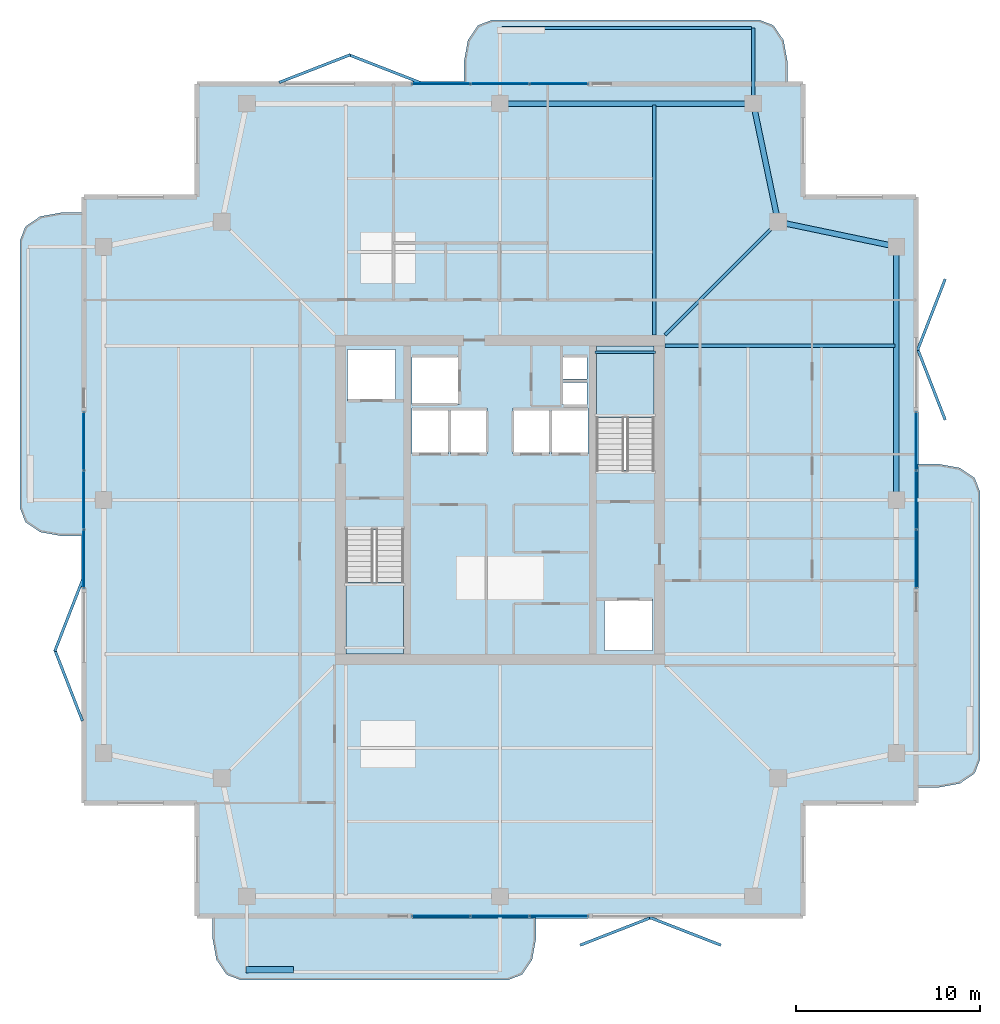
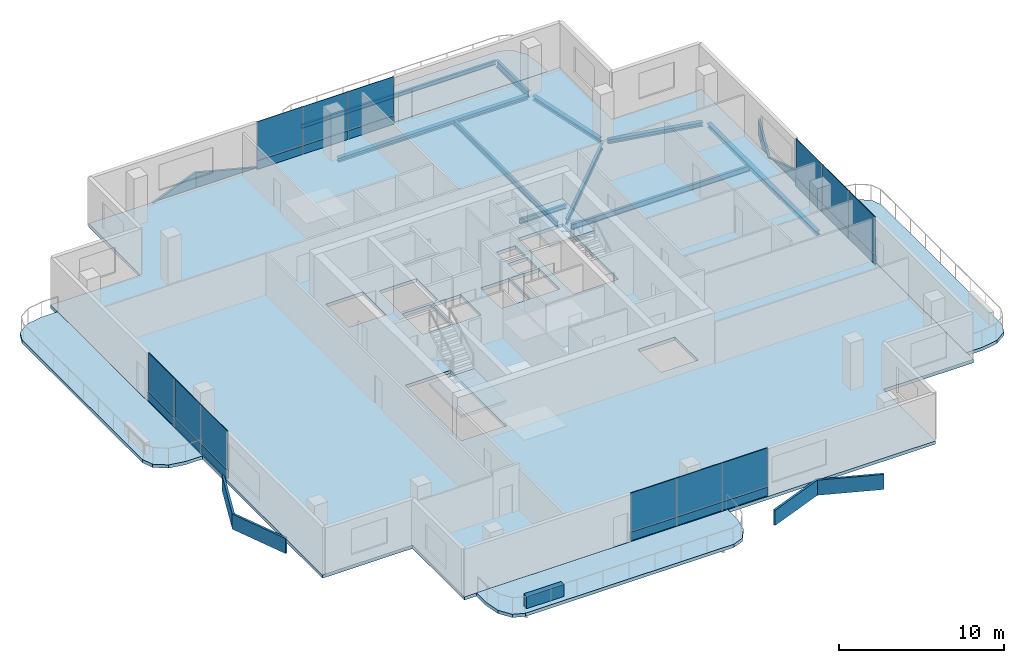
# One storey, part 11 of 17: 32 plates, 10 beams, 7 slabs, 1 wall, 6 elements without a shape of their own.
"""IFC4 building model written with IfcOpenShell, lengths in metres."""

import ifcopenshell
import ifcopenshell.guid

model = None  # the IFC model being written
_history = None  # IfcOwnerHistory: only IFC2X3 demands one
_inside = {}  # id of a spatial element -> (the spatial element, [elements in it])
_under = {}  # id of a project, library or spatial element -> (it, [spatial elements below it])
_declared = {}  # id of a project -> (the project, [libraries it declares])
_typed = {}  # id of a type object -> (the type object, [elements of that type])
_made_of = {}  # id of a material, layer set ... -> (it, [elements and type objects made of it])


def new_model(schema):
    """Start an empty IFC model of exactly this schema.

    Asked for "IFC4X3", IfcOpenShell would pick the latest addendum, in which some entities
    have other attributes; the version numbers below select the first issue.
    IFC2X3 requires an IfcOwnerHistory on every rooted entity: one is made here for all.
    """
    global model, _history
    if schema == "IFC4X3":
        model = ifcopenshell.file(schema_version=(4, 3, 0, 0))
    else:
        model = ifcopenshell.file(schema=schema)
    _inside.clear()
    _under.clear()
    _declared.clear()
    _typed.clear()
    _made_of.clear()
    _history = None
    if model.schema == "IFC2X3":
        org = make("IfcOrganization", Name="unknown")
        user = make(
            "IfcPersonAndOrganization",
            ThePerson=make("IfcPerson", FamilyName="unknown"),
            TheOrganization=org,
        )
        app = make(
            "IfcApplication",
            ApplicationDeveloper=org,
            Version="unknown",
            ApplicationFullName="unknown",
            ApplicationIdentifier="unknown",
        )
        _history = make(
            "IfcOwnerHistory",
            OwningUser=user,
            OwningApplication=app,
            ChangeAction="ADDED",
            CreationDate=0,
        )
    return model


def make(cls, **values):
    """One entity of the class cls with the attributes given. An attribute that is None is left unset."""
    return model.create_entity(
        cls, **{name: value for name, value in values.items() if value is not None}
    )


def rooted(cls, **values):
    """An entity with a GlobalId (a new one), such as an element, a storey or a relation."""
    return make(cls, GlobalId=ifcopenshell.guid.new(), OwnerHistory=_history, **values)


def si_unit(unit_type, name, prefix=None):
    """IfcSIUnit, for example si_unit("LENGTHUNIT", "METRE", prefix="MILLI")."""
    return make("IfcSIUnit", UnitType=unit_type, Prefix=prefix, Name=name)


def assignment(units):
    """IfcUnitAssignment: the units of a project."""
    return None if units is None else make("IfcUnitAssignment", Units=units)


def point(xyz):
    """IfcCartesianPoint."""
    return None if xyz is None else make("IfcCartesianPoint", Coordinates=xyz)


def direction(xyz):
    """IfcDirection."""
    return None if xyz is None else make("IfcDirection", DirectionRatios=xyz)


def frame(location, z_axis=None, x_axis=None):
    """IfcAxis2Placement3D, a coordinate frame: its origin and axes. An axis left out is left unset."""
    return make(
        "IfcAxis2Placement3D",
        Location=point(location),
        Axis=direction(z_axis),
        RefDirection=direction(x_axis),
    )


def frame_2d(location, x_axis=None):
    """IfcAxis2Placement2D, a coordinate frame in the plane: its origin and x axis."""
    return make(
        "IfcAxis2Placement2D", Location=point(location), RefDirection=direction(x_axis)
    )


def origin():
    """The frame at (0, 0, 0) with its axes left unset."""
    return frame((0.0, 0.0, 0.0))


def origin_2d():
    """The frame at (0, 0) in the plane with its x axis left unset."""
    return frame_2d((0.0, 0.0))


def place(relative_to, where):
    """IfcLocalPlacement: puts the frame where relative to a parent placement (None: the world)."""
    return make(
        "IfcLocalPlacement", PlacementRelTo=relative_to, RelativePlacement=where
    )


def context(
    kind, dimensions, precision=None, world=None, true_north=None, identifier=None
):
    """IfcGeometricRepresentationContext, for example the 3D "Model" context."""
    return make(
        "IfcGeometricRepresentationContext",
        ContextIdentifier=identifier,
        ContextType=kind,
        CoordinateSpaceDimension=dimensions,
        Precision=precision,
        WorldCoordinateSystem=world,
        TrueNorth=true_north,
    )


def subcontext(parent, identifier, kind, view, scale=None):
    """IfcGeometricRepresentationSubContext, for example "Body" below "Model"."""
    return make(
        "IfcGeometricRepresentationSubContext",
        ContextIdentifier=identifier,
        ContextType=kind,
        ParentContext=parent,
        TargetScale=scale,
        TargetView=view,
    )


def project(units=None, contexts=None):
    """IfcProject with its units and contexts."""
    return rooted(
        "IfcProject",
        Name="project",
        RepresentationContexts=contexts,
        UnitsInContext=assignment(units),
    )


def spatial(cls, under=None, at=None, **own):
    """A site, building, storey or space (cls), placed at a placement, below another one or the project."""
    s = rooted(cls, ObjectPlacement=at, **own)
    if under is not None:
        _under.setdefault(under.id(), (under, []))[1].append(s)
    return s


def polyline(points):
    """IfcPolyline through the points."""
    return make("IfcPolyline", Points=[point(p) for p in points])


def profile(cls, at=None, kind="AREA", **sizes):
    """A parametric profile (cls). Its sizes go by their IFC names, for example OverallWidth=200.0."""
    return make(cls, ProfileType=kind, Position=at, **sizes)


def rectangle(**sizes):
    """IfcRectangleProfileDef."""
    return profile("IfcRectangleProfileDef", **sizes)


def i_section(**sizes):
    """IfcIShapeProfileDef."""
    return profile("IfcIShapeProfileDef", **sizes)


def outline(outer, holes=None, kind="AREA"):
    """IfcArbitraryClosedProfileDef: a profile drawn as a closed curve; with holes, ...WithVoids."""
    if holes is None:
        return make("IfcArbitraryClosedProfileDef", ProfileType=kind, OuterCurve=outer)
    return make(
        "IfcArbitraryProfileDefWithVoids",
        ProfileType=kind,
        OuterCurve=outer,
        InnerCurves=holes,
    )


def extrude(swept, where, along, depth):
    """IfcExtrudedAreaSolid: the profile swept, set in the frame where, extruded along a direction by depth."""
    return make(
        "IfcExtrudedAreaSolid",
        SweptArea=swept,
        Position=where,
        ExtrudedDirection=direction(along),
        Depth=depth,
    )


def shape(context_of_items, identifier, shape_type, items):
    """IfcShapeRepresentation: the items that make up one representation, for example the "Body"."""
    return make(
        "IfcShapeRepresentation",
        ContextOfItems=context_of_items,
        RepresentationIdentifier=identifier,
        RepresentationType=shape_type,
        Items=items,
    )


def material(Name=None, Category=None):
    """IfcMaterial."""
    return make("IfcMaterial", Name=Name, Category=Category)


def layer(
    of_material, thickness, ventilated=None, Name=None, Category=None, Priority=None
):
    """IfcMaterialLayer: one layer of a wall or slab, of a material (None: an air gap)."""
    return make(
        "IfcMaterialLayer",
        Material=of_material,
        LayerThickness=thickness,
        IsVentilated=ventilated,
        Name=Name,
        Category=Category,
        Priority=Priority,
    )


def layer_set(layers, Name=None):
    """IfcMaterialLayerSet."""
    return make("IfcMaterialLayerSet", MaterialLayers=layers, LayerSetName=Name)


def material_profile(
    of_material, cross_section, Name=None, Category=None, Priority=None
):
    """IfcMaterialProfile: a cross section and its material."""
    return make(
        "IfcMaterialProfile",
        Name=Name,
        Material=of_material,
        Profile=cross_section,
        Priority=Priority,
        Category=Category,
    )


def profile_set(profiles, Name=None, composite=None):
    """IfcMaterialProfileSet."""
    return make(
        "IfcMaterialProfileSet",
        Name=Name,
        MaterialProfiles=profiles,
        CompositeProfile=composite,
    )


def made_of(thing, what):
    """Note that an element or type object is made of a material, layer set ...; save() writes the relation."""
    if what is not None:
        _made_of.setdefault(what.id(), (what, []))[1].append(thing)
    return thing


def type_object(cls, material=None, **own):
    """A type object (cls), such as IfcWallType, which elements share."""
    return made_of(rooted(cls, **own), material)


def element(
    cls,
    number,
    at=None,
    inside=None,
    cuts=None,
    type_object=None,
    material=None,
    context=None,
    identifier="Body",
    shape_type=None,
    held_by="IfcProductDefinitionShape",
    body=None,
    shapes=None,
    **own,
):
    """One element of the class cls, such as IfcWall. Its Tag is "e" and its number.

    at: its placement. inside: the storey or other place that contains it. cuts: it is an
    opening in that element (IfcRelVoidsElement). A single representation is given by context,
    identifier, shape_type and body (its items); several are given by shapes. held_by: the class
    of the entity that holds the representations. save() writes the other relations.
    """
    e = rooted(cls, Tag="e%d" % number, ObjectPlacement=at, **own)
    if body is not None:
        shapes = [shape(context, identifier, shape_type, body)]
    if shapes is not None:
        e.Representation = make(held_by, Representations=shapes)
    if inside is not None:
        _inside.setdefault(inside.id(), (inside, []))[1].append(e)
    if cuts is not None:
        rooted(
            "IfcRelVoidsElement", RelatingBuildingElement=cuts, RelatedOpeningElement=e
        )
    if type_object is not None:
        _typed.setdefault(type_object.id(), (type_object, []))[1].append(e)
    return made_of(e, material)


def aggregate(whole, parts):
    """IfcRelAggregates: a whole, such as a stair, and the parts it consists of."""
    return rooted("IfcRelAggregates", RelatingObject=whole, RelatedObjects=parts)


def save(model, path):
    """Write the relations noted so far, then the file.

    IfcRelAggregates (storeys below a building ...), IfcRelContainedInSpatialStructure (elements
    in a storey), IfcRelDefinesByType, IfcRelAssociatesMaterial and IfcRelDeclares: one each for
    every whole, place, type object, material and project.
    """
    for whole, parts in _under.values():
        aggregate(whole, parts)
    for where, things in _inside.values():
        rooted(
            "IfcRelContainedInSpatialStructure",
            RelatedElements=things,
            RelatingStructure=where,
        )
    for kind, things in _typed.values():
        rooted("IfcRelDefinesByType", RelatedObjects=things, RelatingType=kind)
    for what, things in _made_of.values():
        rooted("IfcRelAssociatesMaterial", RelatedObjects=things, RelatingMaterial=what)
    for by, libraries in _declared.values():
        rooted("IfcRelDeclares", RelatingContext=by, RelatedDefinitions=libraries)
    model.write(path)


model = new_model("IFC4")

# Units and contexts
model_context = context("Model", 3, precision=1e-05, world=origin(), true_north=direction((0.0, 1.0)))
body_context = subcontext(model_context, "Body", "Model", "MODEL_VIEW")
ifc_project = project(units=[si_unit("LENGTHUNIT", "METRE"), si_unit("AREAUNIT", "SQUARE_METRE"), si_unit("VOLUMEUNIT", "CUBIC_METRE"), si_unit("PLANEANGLEUNIT", "RADIAN"), si_unit("MASSUNIT", "GRAM", prefix="KILO")], contexts=[model_context])

# Site, building, storey
site_placement = place(None, origin())
site = spatial("IfcSite", under=ifc_project, at=site_placement, CompositionType="ELEMENT")
building_placement = place(site_placement, origin())
building = spatial("IfcBuilding", under=site, at=building_placement, Name="Belovzor Exchange Tower", CompositionType="ELEMENT")
storey_placement = place(building_placement, frame((0.0, 0.0, 303.0)))
storey = spatial("IfcBuildingStorey", under=building, at=storey_placement, Name="L75", CompositionType="ELEMENT", Elevation=303.0)

# Beams
ifc_material_1 = material(Name="Steel S355", Category="steel")
ifc_material_profile_1 = material_profile(ifc_material_1, i_section(OverallWidth=0.199951171875, OverallDepth=0.5, WebThickness=0.01025390625, FlangeThickness=0.01611328125, at=origin_2d()))
ifc_profile_set_1 = profile_set([ifc_material_profile_1], Name="Steel S355")
beam_type_1 = type_object("IfcBeamType", Name="Planted Balcony Cantilever Beam IPE 500", PredefinedType="BEAM", material=ifc_profile_set_1)
beam_1_placement = place(storey_placement, frame((42.60009765625, 50.660888671875, -0.489990234375), z_axis=(0.0, 1.0, 0.0), x_axis=(-1.0, 0.0, 0.0)))
element("IfcBeam", 1, at=beam_1_placement, inside=storey, type_object=beam_type_1, Name="BC-500 Planted Balcony Cantilever Beam IPE 500", PredefinedType="BEAM", context=body_context, shape_type="SweptSolid", body=[
    extrude(i_section(OverallWidth=0.199951171875, OverallDepth=0.5, WebThickness=0.01025390625, FlangeThickness=0.01611328125, at=origin_2d()), origin(), (0.0, 0.0, 1.0), 3.85009765625),
])
ifc_material_2 = material(Name="Steel S355", Category="steel")
ifc_material_profile_2 = material_profile(ifc_material_2, i_section(OverallWidth=0.14990234375, OverallDepth=0.300048828125, WebThickness=0.007080078125, FlangeThickness=0.0107421875, at=origin_2d()))
ifc_profile_set_2 = profile_set([ifc_material_profile_2], Name="Steel S355")
beam_type_2 = type_object("IfcBeamType", Name="Planted Balcony Fascia Edge Beam IPE 300", PredefinedType="BEAM", material=ifc_profile_set_2)
beam_2_placement = place(storey_placement, frame((42.5, 54.510986328125, -0.389892578125), z_axis=(-1.0, 0.0, 0.0), x_axis=(0.0, -1.0, 0.0)))
element("IfcBeam", 2, at=beam_2_placement, inside=storey, type_object=beam_type_2, Name="BC-300 Planted Balcony Fascia Edge Beam IPE 300", PredefinedType="BEAM", context=body_context, shape_type="SweptSolid", body=[
    extrude(i_section(OverallWidth=0.14990234375, OverallDepth=0.300048828125, WebThickness=0.007080078125, FlangeThickness=0.0107421875, at=origin_2d()), origin(), (0.0, 0.0, 1.0), 13.60009765625),
])
ifc_material_3 = material(Name="Steel S355", Category="steel")
ifc_material_profile_3 = material_profile(ifc_material_3, i_section(OverallWidth=0.14990234375, OverallDepth=0.300048828125, WebThickness=0.007080078125, FlangeThickness=0.0107421875, at=origin_2d()))
ifc_profile_set_3 = profile_set([ifc_material_profile_3], Name="Steel S355")
beam_type_3 = type_object("IfcBeamType", Name="Secondary Trim Floor Joist IPE 300", PredefinedType="BEAM", material=ifc_profile_set_3)
beam_3_placement = place(storey_placement, frame((37.280029296875, 36.85009765625, 1.52490234375), z_axis=(-1.0, 0.0, 0.0), x_axis=(0.0, -1.0, 0.0)))
element("IfcBeam", 3, at=beam_3_placement, inside=storey, type_object=beam_type_3, Name="FJ-300 Secondary Trim Floor Joist IPE 300", PredefinedType="BEAM", context=body_context, shape_type="SweptSolid", body=[
    extrude(i_section(OverallWidth=0.14990234375, OverallDepth=0.300048828125, WebThickness=0.007080078125, FlangeThickness=0.0107421875, at=origin_2d()), origin(), (0.0, 0.0, 1.0), 3.31005859375),
])
ifc_material_4 = material(Name="Steel S355", Category="steel")
ifc_material_profile_4 = material_profile(ifc_material_4, i_section(OverallWidth=0.179931640625, OverallDepth=0.39990234375, WebThickness=0.008544921875, FlangeThickness=0.013427734375, at=origin_2d()))
ifc_profile_set_4 = profile_set([ifc_material_profile_4], Name="Steel S355")
beam_type_4 = type_object("IfcBeamType", Name="Zone 5-6 Radial Composite Floor Beam IPE 400", PredefinedType="BEAM", material=ifc_profile_set_4)
for number, where, z_axis, x_axis, name in (
    (4, (37.199951171875, 37.800048828125, -0.43994140625), (0.0, 1.0, 0.0), (-1.0, 0.0, 0.0), "FB-400 Zone 5-6 Radial Composite Floor Beam IPE 400"),
    (5, (37.800048828125, 37.199951171875, -0.43994140625), (1.0, 0.0, 0.0), (0.0, 1.0, 0.0), "FB-400 Zone 5-6 Radial Composite Floor Beam IPE 400"),
):
    element("IfcBeam", number, at=place(storey_placement, frame(where, z_axis=z_axis, x_axis=x_axis)), inside=storey, type_object=beam_type_4, Name=name, PredefinedType="BEAM", context=body_context, shape_type="SweptSolid", body=[
        extrude(i_section(OverallWidth=0.179931640625, OverallDepth=0.39990234375, WebThickness=0.008544921875, FlangeThickness=0.013427734375, at=origin_2d()), origin(), (0.0, 0.0, 1.0), 12.52490234375),
    ])
beam_4_placement = place(storey_placement, frame((37.800048828125, 37.800048828125, -0.43994140625), z_axis=(0.707106781187, 0.707106781187, 0.0), x_axis=(-0.707106781187, 0.707106781187, 0.0)))
element("IfcBeam", 6, at=beam_4_placement, inside=storey, type_object=beam_type_4, Name="FB-400 Zone 5-6 Radial Composite Floor Beam IPE 400", PredefinedType="BEAM", context=body_context, shape_type="SweptSolid", body=[
    extrude(i_section(OverallWidth=0.179931640625, OverallDepth=0.39990234375, WebThickness=0.008544921875, FlangeThickness=0.013427734375, at=origin_2d()), origin(), (0.0, 0.0, 1.0), 8.362060546875),
])
ifc_material_5 = material(Name="Steel S355", Category="steel")
ifc_material_profile_5 = material_profile(ifc_material_5, i_section(OverallWidth=0.300048828125, OverallDepth=0.300048828125, WebThickness=0.008544921875, FlangeThickness=0.013916015625, at=origin_2d()))
ifc_profile_set_5 = profile_set([ifc_material_profile_5], Name="Steel S355")
beam_type_5 = type_object("IfcBeamType", Name="Zone 6 Primary Girder HEA 300", PredefinedType="BEAM", material=ifc_profile_set_5)
beam_5_placement = place(storey_placement, frame((50.39990234375, 29.06103515625, -0.389892578125), z_axis=(0.0, 1.0, 0.0), x_axis=(-1.0, 0.0, 0.0)))
element("IfcBeam", 7, at=beam_5_placement, inside=storey, type_object=beam_type_5, Name="FG-Z6 Zone 6 Primary Girder HEA 300", PredefinedType="BEAM", context=body_context, shape_type="SweptSolid", body=[
    extrude(i_section(OverallWidth=0.300048828125, OverallDepth=0.300048828125, WebThickness=0.008544921875, FlangeThickness=0.013916015625, at=origin_2d()), origin(), (0.0, 0.0, 1.0), 13.278076171875),
])
for number, where, z_axis, x_axis, name in (
    (8, (50.14404296875, 42.654052734375, -0.389892578125), (-0.978820078908, 0.204722380619, 0.0), (-0.204722380619, -0.978820078908, 0.0), "FG-Z6 Zone 6 Primary Girder HEA 300"),
    (9, (43.89599609375, 44.2060546875, -0.389892578125), (-0.204722380619, 0.978820078908, 0.0), (-0.978820078908, -0.204722380619, 0.0), "FG-Z6 Zone 6 Primary Girder HEA 300"),
):
    element("IfcBeam", number, at=place(storey_placement, frame(where, z_axis=z_axis, x_axis=x_axis)), inside=storey, type_object=beam_type_5, Name=name, PredefinedType="BEAM", context=body_context, shape_type="SweptSolid", body=[
        extrude(i_section(OverallWidth=0.300048828125, OverallDepth=0.300048828125, WebThickness=0.008544921875, FlangeThickness=0.013916015625, at=origin_2d()), origin(), (0.0, 0.0, 1.0), 6.06640625),
    ])
beam_6_placement = place(storey_placement, frame((42.339111328125, 50.39990234375, -0.389892578125), z_axis=(-1.0, 0.0, 0.0), x_axis=(0.0, -1.0, 0.0)))
element("IfcBeam", 10, at=beam_6_placement, inside=storey, type_object=beam_type_5, Name="FG-Z6 Zone 6 Primary Girder HEA 300", PredefinedType="BEAM", context=body_context, shape_type="SweptSolid", body=[
    extrude(i_section(OverallWidth=0.300048828125, OverallDepth=0.300048828125, WebThickness=0.008544921875, FlangeThickness=0.013916015625, at=origin_2d()), origin(), (0.0, 0.0, 1.0), 13.278076171875),
])

# Slab
ifc_material_6 = material(Name="Concrete C40/50", Category="concrete")
ifc_layer_1 = layer(ifc_material_6, 0.239990234375)
ifc_layer_set_1 = layer_set([ifc_layer_1], Name="Concrete C40/50")
slab_type_1 = type_object("IfcSlabType", Name="Composite High-Rise Floor Deck Slab 240", PredefinedType="FLOOR", material=ifc_layer_set_1)
slab_1_placement = place(storey_placement, frame((0.0, 0.0, -0.239990234375)))
element("IfcSlab", 11, at=slab_1_placement, inside=storey, type_object=slab_type_1, Name="SL-F240 Structural Slab L75", PredefinedType="FLOOR", context=body_context, shape_type="SweptSolid", body=[
    extrude(outline(polyline([(12.300048828125, 6.0), (45.300048828125, 6.0), (45.300048828125, 12.300048828125), (51.60009765625, 12.300048828125), (51.60009765625, 45.300048828125), (45.300048828125, 45.300048828125), (45.300048828125, 51.60009765625), (12.300048828125, 51.60009765625), (12.300048828125, 45.300048828125), (6.0, 45.300048828125), (6.0, 12.300048828125), (12.300048828125, 12.300048828125), (12.300048828125, 6.0)]), holes=[polyline([(20.39990234375, 27.175048828125), (20.39990234375, 20.39990234375), (23.550048828125, 20.39990234375), (23.550048828125, 27.175048828125), (20.39990234375, 27.175048828125)]), polyline([(37.199951171875, 30.425048828125), (37.199951171875, 37.199951171875), (34.050048828125, 37.199951171875), (34.050048828125, 30.425048828125), (37.199951171875, 30.425048828125)]), polyline([(20.5, 34.199951171875), (23.10009765625, 34.199951171875), (23.10009765625, 37.0), (20.5, 37.0), (20.5, 34.199951171875)]), polyline([(34.5, 20.60009765625), (37.10009765625, 20.60009765625), (37.10009765625, 23.39990234375), (34.5, 23.39990234375), (34.5, 20.60009765625)]), polyline([(24.0, 34.0), (26.60009765625, 34.0), (26.60009765625, 36.60009765625), (24.0, 36.60009765625), (24.0, 34.0)]), polyline([(24.0, 31.300048828125), (26.0, 31.300048828125), (26.0, 33.800048828125), (24.0, 33.800048828125), (24.0, 31.300048828125)]), polyline([(26.10009765625, 31.300048828125), (28.10009765625, 31.300048828125), (28.10009765625, 33.800048828125), (26.10009765625, 33.800048828125), (26.10009765625, 31.300048828125)]), polyline([(29.5, 31.300048828125), (31.5, 31.300048828125), (31.5, 33.800048828125), (29.5, 33.800048828125), (29.5, 31.300048828125)]), polyline([(31.60009765625, 31.300048828125), (33.60009765625, 31.300048828125), (33.60009765625, 33.800048828125), (31.60009765625, 33.800048828125), (31.60009765625, 31.300048828125)]), polyline([(32.199951171875, 34.0), (33.550048828125, 34.0), (33.550048828125, 35.199951171875), (32.199951171875, 35.199951171875), (32.199951171875, 34.0)]), polyline([(32.199951171875, 35.39990234375), (33.550048828125, 35.39990234375), (33.550048828125, 36.60009765625), (32.199951171875, 36.60009765625), (32.199951171875, 35.39990234375)])]), origin(), (0.0, 0.0, 1.0), 0.239990234375),
])

# Curtain wall, plates
ifc_material_7 = material(Name="Anodised Aluminium Framing", Category="aluminium")
ifc_layer_2 = layer(ifc_material_7, 0.179931640625)
ifc_layer_set_2 = layer_set([ifc_layer_2], Name="Anodised Aluminium Framing")
curtain_wall_type = type_object("IfcCurtainWallType", Name="Recessed Loggia Low-Iron Triple-Glazed Curtain Wall", PredefinedType="NOTDEFINED", material=ifc_layer_set_2)
curtain_wall_1_placement = place(storey_placement, origin())
curtain_wall_1 = element("IfcCurtainWall", 12, at=curtain_wall_1_placement, inside=storey, type_object=curtain_wall_type, Name="CW3 Recessed Loggia Low-Iron Triple-Glazed Curtain Wall L75", PredefinedType="NOTDEFINED")
ifc_material_8 = material(Name="Solar-Control Triple Glazing", Category="glass")
ifc_layer_3 = layer(ifc_material_8, 0.0439453125)
ifc_layer_set_3 = layer_set([ifc_layer_3], Name="Solar-Control Triple Glazing")
plate_type_1 = type_object("IfcPlateType", Name="Insulated Solar Glazing Curtain Panel 44", PredefinedType="CURTAIN_PANEL", material=ifc_layer_set_3)
plate_1_placement = place(storey_placement, frame((32.0, 6.1298828125, 0.634033203125), z_axis=(0.0, 0.0, 1.0), x_axis=(-1.0, 0.0, 0.0)))
plate_1 = element("IfcPlate", 13, at=plate_1_placement, type_object=plate_type_1, Name="GLZ-44 Glazed Curtain Panel 1", PredefinedType="CURTAIN_PANEL", context=body_context, shape_type="SweptSolid", body=[
    extrude(rectangle(XDim=3.18408203125, YDim=0.0439453125, at=origin_2d()), origin(), (0.0, 0.0, 1.0), 2.8759765625),
])
plate_2_placement = place(storey_placement, frame((28.800048828125, 6.1298828125, 0.634033203125), z_axis=(0.0, 0.0, 1.0), x_axis=(-1.0, 0.0, 0.0)))
plate_2 = element("IfcPlate", 14, at=plate_2_placement, type_object=plate_type_1, Name="GLZ-44 Glazed Curtain Panel 2", PredefinedType="CURTAIN_PANEL", context=body_context, shape_type="SweptSolid", body=[
    extrude(rectangle(XDim=3.18408203125, YDim=0.0439453125, at=origin_2d()), origin(), (0.0, 0.0, 1.0), 2.8759765625),
])
plate_3_placement = place(storey_placement, frame((25.60009765625, 6.1298828125, 0.634033203125), z_axis=(0.0, 0.0, 1.0), x_axis=(-1.0, 0.0, 0.0)))
plate_3 = element("IfcPlate", 15, at=plate_3_placement, type_object=plate_type_1, Name="GLZ-44 Glazed Curtain Panel 3", PredefinedType="CURTAIN_PANEL", context=body_context, shape_type="SweptSolid", body=[
    extrude(rectangle(XDim=3.18408203125, YDim=0.0439453125, at=origin_2d()), origin(), (0.0, 0.0, 1.0), 2.8759765625),
])

curtain_wall_2_placement = place(storey_placement, origin())
curtain_wall_2 = element("IfcCurtainWall", 16, at=curtain_wall_2_placement, inside=storey, type_object=curtain_wall_type, Name="CW3 Recessed Loggia Low-Iron Triple-Glazed Curtain Wall L75", PredefinedType="NOTDEFINED")
plate_4_placement = place(storey_placement, frame((25.60009765625, 51.469970703125, 0.634033203125), z_axis=(0.0, 0.0, 1.0), x_axis=(1.0, 0.0, 0.0)))
plate_4 = element("IfcPlate", 17, at=plate_4_placement, type_object=plate_type_1, Name="GLZ-44 Glazed Curtain Panel 1", PredefinedType="CURTAIN_PANEL", context=body_context, shape_type="SweptSolid", body=[
    extrude(rectangle(XDim=3.18408203125, YDim=0.0439453125, at=origin_2d()), origin(), (0.0, 0.0, 1.0), 2.8759765625),
])
plate_5_placement = place(storey_placement, frame((28.800048828125, 51.469970703125, 0.634033203125), z_axis=(0.0, 0.0, 1.0), x_axis=(1.0, 0.0, 0.0)))
plate_5 = element("IfcPlate", 18, at=plate_5_placement, type_object=plate_type_1, Name="GLZ-44 Glazed Curtain Panel 2", PredefinedType="CURTAIN_PANEL", context=body_context, shape_type="SweptSolid", body=[
    extrude(rectangle(XDim=3.18408203125, YDim=0.0439453125, at=origin_2d()), origin(), (0.0, 0.0, 1.0), 2.8759765625),
])
plate_6_placement = place(storey_placement, frame((32.0, 51.469970703125, 0.634033203125), z_axis=(0.0, 0.0, 1.0), x_axis=(1.0, 0.0, 0.0)))
plate_6 = element("IfcPlate", 19, at=plate_6_placement, type_object=plate_type_1, Name="GLZ-44 Glazed Curtain Panel 3", PredefinedType="CURTAIN_PANEL", context=body_context, shape_type="SweptSolid", body=[
    extrude(rectangle(XDim=3.18408203125, YDim=0.0439453125, at=origin_2d()), origin(), (0.0, 0.0, 1.0), 2.8759765625),
])

curtain_wall_3_placement = place(storey_placement, origin())
curtain_wall_3 = element("IfcCurtainWall", 20, at=curtain_wall_3_placement, inside=storey, type_object=curtain_wall_type, Name="CW3 Recessed Loggia Low-Iron Triple-Glazed Curtain Wall L75", PredefinedType="NOTDEFINED")
plate_7_placement = place(storey_placement, frame((6.1298828125, 25.60009765625, 0.634033203125), z_axis=(0.0, 0.0, 1.0), x_axis=(0.0, 1.0, 0.0)))
plate_7 = element("IfcPlate", 21, at=plate_7_placement, type_object=plate_type_1, Name="GLZ-44 Glazed Curtain Panel 1", PredefinedType="CURTAIN_PANEL", context=body_context, shape_type="SweptSolid", body=[
    extrude(rectangle(XDim=3.18408203125, YDim=0.0439453125, at=origin_2d()), origin(), (0.0, 0.0, 1.0), 2.8759765625),
])
plate_8_placement = place(storey_placement, frame((6.1298828125, 28.800048828125, 0.634033203125), z_axis=(0.0, 0.0, 1.0), x_axis=(0.0, 1.0, 0.0)))
plate_8 = element("IfcPlate", 22, at=plate_8_placement, type_object=plate_type_1, Name="GLZ-44 Glazed Curtain Panel 2", PredefinedType="CURTAIN_PANEL", context=body_context, shape_type="SweptSolid", body=[
    extrude(rectangle(XDim=3.18408203125, YDim=0.0439453125, at=origin_2d()), origin(), (0.0, 0.0, 1.0), 2.8759765625),
])
plate_9_placement = place(storey_placement, frame((6.1298828125, 32.0, 0.634033203125), z_axis=(0.0, 0.0, 1.0), x_axis=(0.0, 1.0, 0.0)))
plate_9 = element("IfcPlate", 23, at=plate_9_placement, type_object=plate_type_1, Name="GLZ-44 Glazed Curtain Panel 3", PredefinedType="CURTAIN_PANEL", context=body_context, shape_type="SweptSolid", body=[
    extrude(rectangle(XDim=3.18408203125, YDim=0.0439453125, at=origin_2d()), origin(), (0.0, 0.0, 1.0), 2.8759765625),
])

curtain_wall_4_placement = place(storey_placement, origin())
curtain_wall_4 = element("IfcCurtainWall", 24, at=curtain_wall_4_placement, inside=storey, type_object=curtain_wall_type, Name="CW3 Recessed Loggia Low-Iron Triple-Glazed Curtain Wall L75", PredefinedType="NOTDEFINED")
plate_10_placement = place(storey_placement, frame((51.469970703125, 32.0, 0.634033203125), z_axis=(0.0, 0.0, 1.0), x_axis=(0.0, -1.0, 0.0)))
plate_10 = element("IfcPlate", 25, at=plate_10_placement, type_object=plate_type_1, Name="GLZ-44 Glazed Curtain Panel 1", PredefinedType="CURTAIN_PANEL", context=body_context, shape_type="SweptSolid", body=[
    extrude(rectangle(XDim=3.18408203125, YDim=0.0439453125, at=origin_2d()), origin(), (0.0, 0.0, 1.0), 2.8759765625),
])
plate_11_placement = place(storey_placement, frame((51.469970703125, 28.800048828125, 0.634033203125), z_axis=(0.0, 0.0, 1.0), x_axis=(0.0, -1.0, 0.0)))
plate_11 = element("IfcPlate", 26, at=plate_11_placement, type_object=plate_type_1, Name="GLZ-44 Glazed Curtain Panel 2", PredefinedType="CURTAIN_PANEL", context=body_context, shape_type="SweptSolid", body=[
    extrude(rectangle(XDim=3.18408203125, YDim=0.0439453125, at=origin_2d()), origin(), (0.0, 0.0, 1.0), 2.8759765625),
])
plate_12_placement = place(storey_placement, frame((51.469970703125, 25.60009765625, 0.634033203125), z_axis=(0.0, 0.0, 1.0), x_axis=(0.0, -1.0, 0.0)))
plate_12 = element("IfcPlate", 27, at=plate_12_placement, type_object=plate_type_1, Name="GLZ-44 Glazed Curtain Panel 3", PredefinedType="CURTAIN_PANEL", context=body_context, shape_type="SweptSolid", body=[
    extrude(rectangle(XDim=3.18408203125, YDim=0.0439453125, at=origin_2d()), origin(), (0.0, 0.0, 1.0), 2.8759765625),
])

# Stair, slab
ifc_material_9 = material(Name="Concrete C40/50", Category="concrete")
stair_type = type_object("IfcStairType", Name="Reinforced Concrete Dogleg Escape Stair 1350", PredefinedType="HALF_TURN_STAIR", material=ifc_material_9)
stair_1_placement = place(storey_placement, origin())
stair_1 = element("IfcStair", 28, at=stair_1_placement, inside=storey, type_object=stair_type, Name="L75 ST-1", PredefinedType="HALF_TURN_STAIR")
ifc_material_10 = material(Name="Concrete C40/50", Category="concrete")
ifc_layer_4 = layer(ifc_material_10, 0.199951171875)
ifc_layer_set_4 = layer_set([ifc_layer_4], Name="Concrete C40/50")
slab_type_2 = type_object("IfcSlabType", Name="Reinforced Concrete Stair Half-Landing Slab 200", PredefinedType="LANDING", material=ifc_layer_set_4)
slab_2_placement = place(storey_placement, frame((0.0, 0.0, 1.675048828125)))
slab_2 = element("IfcSlab", 29, at=slab_2_placement, type_object=slab_type_2, Name="ST-1 landing 1", PredefinedType="LANDING", context=body_context, shape_type="SweptSolid", body=[
    extrude(outline(polyline([(20.39990234375, 24.300048828125), (20.39990234375, 20.39990234375), (23.550048828125, 20.39990234375), (23.550048828125, 24.300048828125), (20.39990234375, 24.300048828125)])), origin(), (0.0, 0.0, 1.0), 0.199951171875),
])
aggregate(stair_1, [slab_2])

stair_2_placement = place(storey_placement, origin())
stair_2 = element("IfcStair", 30, at=stair_2_placement, inside=storey, type_object=stair_type, Name="L75 ST-2", PredefinedType="HALF_TURN_STAIR")
slab_3_placement = place(storey_placement, frame((0.0, 0.0, 1.675048828125)))
slab_3 = element("IfcSlab", 31, at=slab_3_placement, type_object=slab_type_2, Name="ST-2 landing 1", PredefinedType="LANDING", context=body_context, shape_type="SweptSolid", body=[
    extrude(outline(polyline([(37.199951171875, 33.300048828125), (37.199951171875, 37.199951171875), (34.050048828125, 37.199951171875), (34.050048828125, 33.300048828125), (37.199951171875, 33.300048828125)])), origin(), (0.0, 0.0, 1.0), 0.199951171875),
])
aggregate(stair_2, [slab_3])

# Plate
ifc_material_11 = material(Name="Extruded Architectural Terracotta", Category="masonry")
ifc_layer_5 = layer(ifc_material_11, 0.090087890625)
ifc_layer_set_5 = layer_set([ifc_layer_5], Name="Extruded Architectural Terracotta")
plate_type_2 = type_object("IfcPlateType", Name="Terracotta Shadow-Box Spandrel Panel 90", PredefinedType="CURTAIN_PANEL", material=ifc_layer_set_5)
plate_13_placement = place(storey_placement, frame((32.0, 6.1298828125, 0.0), z_axis=(0.0, 0.0, 1.0), x_axis=(-1.0, 0.0, 0.0)))
plate_13 = element("IfcPlate", 32, at=plate_13_placement, type_object=plate_type_2, Name="SPD-90 Spandrel Panel 1", PredefinedType="CURTAIN_PANEL", context=body_context, shape_type="SweptSolid", body=[
    extrude(rectangle(XDim=3.18408203125, YDim=0.090087890625, at=origin_2d()), origin(), (0.0, 0.0, 1.0), 0.6298828125),
])

plate_14_placement = place(storey_placement, frame((28.800048828125, 6.1298828125, 0.0), z_axis=(0.0, 0.0, 1.0), x_axis=(-1.0, 0.0, 0.0)))
plate_14 = element("IfcPlate", 33, at=plate_14_placement, type_object=plate_type_2, Name="SPD-90 Spandrel Panel 2", PredefinedType="CURTAIN_PANEL", context=body_context, shape_type="SweptSolid", body=[
    extrude(rectangle(XDim=3.18408203125, YDim=0.090087890625, at=origin_2d()), origin(), (0.0, 0.0, 1.0), 0.6298828125),
])

plate_15_placement = place(storey_placement, frame((25.60009765625, 6.1298828125, 0.0), z_axis=(0.0, 0.0, 1.0), x_axis=(-1.0, 0.0, 0.0)))
plate_15 = element("IfcPlate", 34, at=plate_15_placement, type_object=plate_type_2, Name="SPD-90 Spandrel Panel 3", PredefinedType="CURTAIN_PANEL", context=body_context, shape_type="SweptSolid", body=[
    extrude(rectangle(XDim=3.18408203125, YDim=0.090087890625, at=origin_2d()), origin(), (0.0, 0.0, 1.0), 0.6298828125),
])

aggregate(curtain_wall_1, [plate_13, plate_1, plate_14, plate_2, plate_15, plate_3])

plate_16_placement = place(storey_placement, frame((25.60009765625, 51.469970703125, 0.0), z_axis=(0.0, 0.0, 1.0), x_axis=(1.0, 0.0, 0.0)))
plate_16 = element("IfcPlate", 35, at=plate_16_placement, type_object=plate_type_2, Name="SPD-90 Spandrel Panel 1", PredefinedType="CURTAIN_PANEL", context=body_context, shape_type="SweptSolid", body=[
    extrude(rectangle(XDim=3.18408203125, YDim=0.090087890625, at=origin_2d()), origin(), (0.0, 0.0, 1.0), 0.6298828125),
])

plate_17_placement = place(storey_placement, frame((28.800048828125, 51.469970703125, 0.0), z_axis=(0.0, 0.0, 1.0), x_axis=(1.0, 0.0, 0.0)))
plate_17 = element("IfcPlate", 36, at=plate_17_placement, type_object=plate_type_2, Name="SPD-90 Spandrel Panel 2", PredefinedType="CURTAIN_PANEL", context=body_context, shape_type="SweptSolid", body=[
    extrude(rectangle(XDim=3.18408203125, YDim=0.090087890625, at=origin_2d()), origin(), (0.0, 0.0, 1.0), 0.6298828125),
])

plate_18_placement = place(storey_placement, frame((32.0, 51.469970703125, 0.0), z_axis=(0.0, 0.0, 1.0), x_axis=(1.0, 0.0, 0.0)))
plate_18 = element("IfcPlate", 37, at=plate_18_placement, type_object=plate_type_2, Name="SPD-90 Spandrel Panel 3", PredefinedType="CURTAIN_PANEL", context=body_context, shape_type="SweptSolid", body=[
    extrude(rectangle(XDim=3.18408203125, YDim=0.090087890625, at=origin_2d()), origin(), (0.0, 0.0, 1.0), 0.6298828125),
])

aggregate(curtain_wall_2, [plate_16, plate_4, plate_17, plate_5, plate_18, plate_6])

plate_19_placement = place(storey_placement, frame((6.1298828125, 25.60009765625, 0.0), z_axis=(0.0, 0.0, 1.0), x_axis=(0.0, 1.0, 0.0)))
plate_19 = element("IfcPlate", 38, at=plate_19_placement, type_object=plate_type_2, Name="SPD-90 Spandrel Panel 1", PredefinedType="CURTAIN_PANEL", context=body_context, shape_type="SweptSolid", body=[
    extrude(rectangle(XDim=3.18408203125, YDim=0.090087890625, at=origin_2d()), origin(), (0.0, 0.0, 1.0), 0.6298828125),
])

plate_20_placement = place(storey_placement, frame((6.1298828125, 28.800048828125, 0.0), z_axis=(0.0, 0.0, 1.0), x_axis=(0.0, 1.0, 0.0)))
plate_20 = element("IfcPlate", 39, at=plate_20_placement, type_object=plate_type_2, Name="SPD-90 Spandrel Panel 2", PredefinedType="CURTAIN_PANEL", context=body_context, shape_type="SweptSolid", body=[
    extrude(rectangle(XDim=3.18408203125, YDim=0.090087890625, at=origin_2d()), origin(), (0.0, 0.0, 1.0), 0.6298828125),
])

plate_21_placement = place(storey_placement, frame((6.1298828125, 32.0, 0.0), z_axis=(0.0, 0.0, 1.0), x_axis=(0.0, 1.0, 0.0)))
plate_21 = element("IfcPlate", 40, at=plate_21_placement, type_object=plate_type_2, Name="SPD-90 Spandrel Panel 3", PredefinedType="CURTAIN_PANEL", context=body_context, shape_type="SweptSolid", body=[
    extrude(rectangle(XDim=3.18408203125, YDim=0.090087890625, at=origin_2d()), origin(), (0.0, 0.0, 1.0), 0.6298828125),
])

aggregate(curtain_wall_3, [plate_19, plate_7, plate_20, plate_8, plate_21, plate_9])

plate_22_placement = place(storey_placement, frame((51.469970703125, 32.0, 0.0), z_axis=(0.0, 0.0, 1.0), x_axis=(0.0, -1.0, 0.0)))
plate_22 = element("IfcPlate", 41, at=plate_22_placement, type_object=plate_type_2, Name="SPD-90 Spandrel Panel 1", PredefinedType="CURTAIN_PANEL", context=body_context, shape_type="SweptSolid", body=[
    extrude(rectangle(XDim=3.18408203125, YDim=0.090087890625, at=origin_2d()), origin(), (0.0, 0.0, 1.0), 0.6298828125),
])

plate_23_placement = place(storey_placement, frame((51.469970703125, 28.800048828125, 0.0), z_axis=(0.0, 0.0, 1.0), x_axis=(0.0, -1.0, 0.0)))
plate_23 = element("IfcPlate", 42, at=plate_23_placement, type_object=plate_type_2, Name="SPD-90 Spandrel Panel 2", PredefinedType="CURTAIN_PANEL", context=body_context, shape_type="SweptSolid", body=[
    extrude(rectangle(XDim=3.18408203125, YDim=0.090087890625, at=origin_2d()), origin(), (0.0, 0.0, 1.0), 0.6298828125),
])

plate_24_placement = place(storey_placement, frame((51.469970703125, 25.60009765625, 0.0), z_axis=(0.0, 0.0, 1.0), x_axis=(0.0, -1.0, 0.0)))
plate_24 = element("IfcPlate", 43, at=plate_24_placement, type_object=plate_type_2, Name="SPD-90 Spandrel Panel 3", PredefinedType="CURTAIN_PANEL", context=body_context, shape_type="SweptSolid", body=[
    extrude(rectangle(XDim=3.18408203125, YDim=0.090087890625, at=origin_2d()), origin(), (0.0, 0.0, 1.0), 0.6298828125),
])

aggregate(curtain_wall_4, [plate_22, plate_10, plate_23, plate_11, plate_24, plate_12])

# Slabs
ifc_material_12 = material(Name="Concrete C40/50", Category="concrete")
ifc_layer_6 = layer(ifc_material_12, 0.239990234375)
ifc_layer_set_6 = layer_set([ifc_layer_6], Name="Concrete C40/50")
slab_type_3 = type_object("IfcSlabType", Name="Thermally Broken Upper Balcony Slab 240", PredefinedType="FLOOR", material=ifc_layer_set_6)
slab_4_placement = place(storey_placement, frame((0.0, 0.0, -0.239990234375)))
element("IfcSlab", 44, at=slab_4_placement, inside=storey, type_object=slab_type_3, Name="SL-BAL220 Planted Balcony Loggia L75 South", PredefinedType="FLOOR", context=body_context, shape_type="SweptSolid", body=[
    extrude(outline(polyline([(13.14990234375, 6.014892578125), (13.14990234375, 4.85009765625), (13.35107421875, 3.75), (13.89990234375, 2.945068359375), (14.64990234375, 2.64990234375), (29.25, 2.64990234375), (30.0, 2.945068359375), (30.549072265625, 3.75), (30.75, 4.85009765625), (30.75, 6.014892578125), (13.14990234375, 6.014892578125)])), origin(), (0.0, 0.0, 1.0), 0.239990234375),
])
slab_5_placement = place(storey_placement, frame((0.0, 0.0, -0.239990234375)))
element("IfcSlab", 45, at=slab_5_placement, inside=storey, type_object=slab_type_3, Name="SL-BAL220 Planted Balcony Loggia L75 North", PredefinedType="FLOOR", context=body_context, shape_type="SweptSolid", body=[
    extrude(outline(polyline([(44.449951171875, 51.5849609375), (44.449951171875, 52.75), (44.2490234375, 53.85009765625), (43.699951171875, 54.655029296875), (42.949951171875, 54.949951171875), (28.35009765625, 54.949951171875), (27.60009765625, 54.655029296875), (27.051025390625, 53.85009765625), (26.85009765625, 52.75), (26.85009765625, 51.5849609375), (44.449951171875, 51.5849609375)])), origin(), (0.0, 0.0, 1.0), 0.239990234375),
])
slab_6_placement = place(storey_placement, frame((0.0, 0.0, -0.239990234375)))
element("IfcSlab", 46, at=slab_6_placement, inside=storey, type_object=slab_type_3, Name="SL-BAL220 Planted Balcony Loggia L75 East", PredefinedType="FLOOR", context=body_context, shape_type="SweptSolid", body=[
    extrude(outline(polyline([(51.5849609375, 13.14990234375), (52.75, 13.14990234375), (53.85009765625, 13.35107421875), (54.655029296875, 13.89990234375), (54.949951171875, 14.64990234375), (54.949951171875, 29.25), (54.655029296875, 30.0), (53.85009765625, 30.549072265625), (52.75, 30.75), (51.5849609375, 30.75), (51.5849609375, 13.14990234375)])), origin(), (0.0, 0.0, 1.0), 0.239990234375),
])
slab_7_placement = place(storey_placement, frame((0.0, 0.0, -0.239990234375)))
element("IfcSlab", 47, at=slab_7_placement, inside=storey, type_object=slab_type_3, Name="SL-BAL220 Planted Balcony Loggia L75 West", PredefinedType="FLOOR", context=body_context, shape_type="SweptSolid", body=[
    extrude(outline(polyline([(6.014892578125, 44.449951171875), (4.85009765625, 44.449951171875), (3.75, 44.2490234375), (2.945068359375, 43.699951171875), (2.64990234375, 42.949951171875), (2.64990234375, 28.35009765625), (2.945068359375, 27.60009765625), (3.75, 27.051025390625), (4.85009765625, 26.85009765625), (6.014892578125, 26.85009765625), (6.014892578125, 44.449951171875)])), origin(), (0.0, 0.0, 1.0), 0.239990234375),
])

# Plates
ifc_material_13 = material(Name="Extruded Architectural Terracotta", Category="masonry")
ifc_layer_7 = layer(ifc_material_13, 0.14990234375)
ifc_layer_set_7 = layer_set([ifc_layer_7], Name="Extruded Architectural Terracotta")
plate_type_3 = type_object("IfcPlateType", Name="Upper-Crown Deep Folded Zigzag Terracotta Spandrel Louvre 150", PredefinedType="USERDEFINED", material=ifc_layer_set_7)
for number, where, z_axis, x_axis, name in (
    (48, (18.699951171875, 52.300048828125, -1.10498046875), (0.0, 0.0, 1.0), (0.931817969421, 0.362925986758, 0.0), "LVR-ZZ3 Zigzag Terracotta Spandrel Louvre L75 N1A"),
    (49, (22.5, 52.300048828125, -1.10498046875), (0.0, 0.0, 1.0), (0.931817969421, -0.362925986758, 0.0), "LVR-ZZ3 Zigzag Terracotta Spandrel Louvre L75 N1B"),
    (50, (5.300048828125, 18.699951171875, -1.10498046875), (0.0, 0.0, 1.0), (-0.362925986758, 0.931817969421, 0.0), "LVR-ZZ3 Zigzag Terracotta Spandrel Louvre L75 W1A"),
    (51, (5.300048828125, 22.5, -1.10498046875), (0.0, 0.0, 1.0), (0.362925986758, 0.931817969421, 0.0), "LVR-ZZ3 Zigzag Terracotta Spandrel Louvre L75 W1B"),
    (52, (35.10009765625, 5.300048828125, -1.10498046875), (0.0, 0.0, 1.0), (0.931817969421, 0.362925986758, 0.0), "LVR-ZZ3 Zigzag Terracotta Spandrel Louvre L75 S2A"),
    (53, (38.89990234375, 5.300048828125, -1.10498046875), (0.0, 0.0, 1.0), (0.931817969421, -0.362925986758, 0.0), "LVR-ZZ3 Zigzag Terracotta Spandrel Louvre L75 S2B"),
    (54, (52.300048828125, 35.10009765625, -1.10498046875), (0.0, 0.0, 1.0), (-0.362925986758, 0.931817969421, 0.0), "LVR-ZZ3 Zigzag Terracotta Spandrel Louvre L75 E2A"),
    (55, (52.300048828125, 38.89990234375, -1.10498046875), (0.0, 0.0, 1.0), (0.362925986758, 0.931817969421, 0.0), "LVR-ZZ3 Zigzag Terracotta Spandrel Louvre L75 E2B"),
):
    element("IfcPlate", number, at=place(storey_placement, frame(where, z_axis=z_axis, x_axis=x_axis)), inside=storey, type_object=plate_type_3, Name=name, ObjectType="SPANDREL_LOUVRE", PredefinedType="USERDEFINED", context=body_context, shape_type="SweptSolid", body=[
        extrude(rectangle(XDim=4.157958984375, YDim=0.14990234375, at=origin_2d()), origin(), (0.0, 0.0, 1.0), 1.1201171875),
    ])

# Wall
ifc_material_14 = material(Name="Precast concrete C40/50", Category="concrete")
ifc_layer_8 = layer(ifc_material_14, 0.35009765625)
ifc_layer_set_8 = layer_set([ifc_layer_8], Name="Precast concrete C40/50")
wall_type = type_object("IfcWallType", Name="Precast Concrete Structural Tree Planter Trough 350", PredefinedType="PARAPET", material=ifc_layer_set_8)
wall_placement = place(storey_placement, frame((14.949951171875, 3.199951171875, 0.0), z_axis=(0.0, 0.0, 1.0), x_axis=(1.0, 0.0, 0.0)))
element("IfcWall", 56, at=wall_placement, inside=storey, type_object=wall_type, Name="PT-350 Precast Concrete Structural Tree Planter Trough 350 L75", PredefinedType="PARAPET", context=body_context, shape_type="SweptSolid", body=[
    extrude(rectangle(XDim=2.60009765625, YDim=0.35009765625, at=frame_2d((1.300048828125, 0.0))), origin(), (0.0, 0.0, 1.0), 0.89990234375),
])

save(model, "model.ifc")
